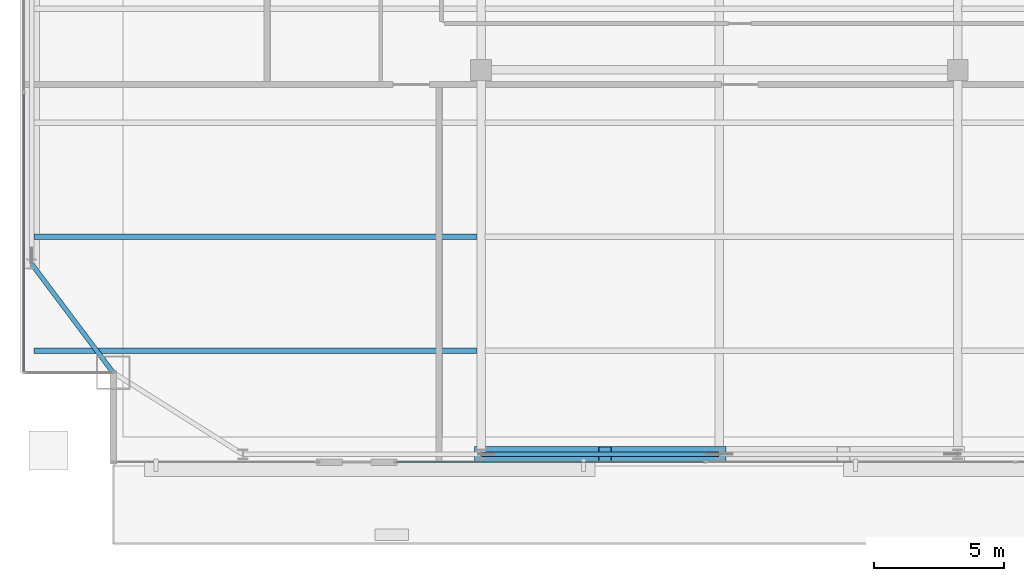
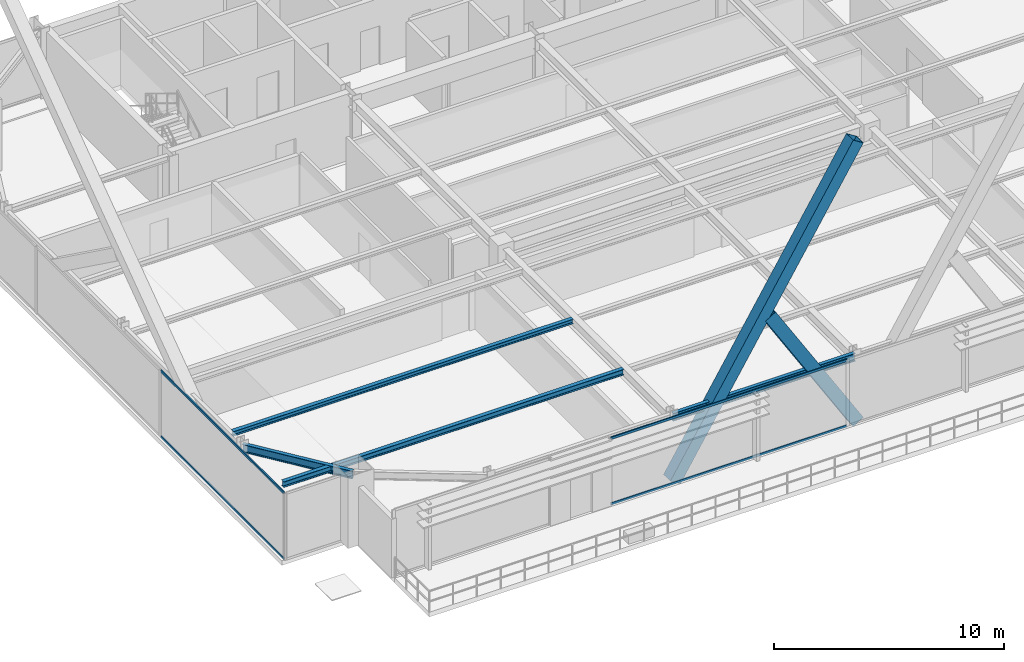
# One storey, part 6 of 33: 6 members, 4 beams, 2 elements without a shape of their own.
"""IFC4 building model written with IfcOpenShell, lengths in metres."""

import ifcopenshell
import ifcopenshell.guid

model = None  # the IFC model being written
_history = None  # IfcOwnerHistory: only IFC2X3 demands one
_inside = {}  # id of a spatial element -> (the spatial element, [elements in it])
_under = {}  # id of a project, library or spatial element -> (it, [spatial elements below it])
_declared = {}  # id of a project -> (the project, [libraries it declares])
_typed = {}  # id of a type object -> (the type object, [elements of that type])
_made_of = {}  # id of a material, layer set ... -> (it, [elements and type objects made of it])


def new_model(schema):
    """Start an empty IFC model of exactly this schema.

    Asked for "IFC4X3", IfcOpenShell would pick the latest addendum, in which some entities
    have other attributes; the version numbers below select the first issue.
    IFC2X3 requires an IfcOwnerHistory on every rooted entity: one is made here for all.
    """
    global model, _history
    if schema == "IFC4X3":
        model = ifcopenshell.file(schema_version=(4, 3, 0, 0))
    else:
        model = ifcopenshell.file(schema=schema)
    _inside.clear()
    _under.clear()
    _declared.clear()
    _typed.clear()
    _made_of.clear()
    _history = None
    if model.schema == "IFC2X3":
        org = make("IfcOrganization", Name="unknown")
        user = make(
            "IfcPersonAndOrganization",
            ThePerson=make("IfcPerson", FamilyName="unknown"),
            TheOrganization=org,
        )
        app = make(
            "IfcApplication",
            ApplicationDeveloper=org,
            Version="unknown",
            ApplicationFullName="unknown",
            ApplicationIdentifier="unknown",
        )
        _history = make(
            "IfcOwnerHistory",
            OwningUser=user,
            OwningApplication=app,
            ChangeAction="ADDED",
            CreationDate=0,
        )
    return model


def make(cls, **values):
    """One entity of the class cls with the attributes given. An attribute that is None is left unset."""
    return model.create_entity(
        cls, **{name: value for name, value in values.items() if value is not None}
    )


def rooted(cls, **values):
    """An entity with a GlobalId (a new one), such as an element, a storey or a relation."""
    return make(cls, GlobalId=ifcopenshell.guid.new(), OwnerHistory=_history, **values)


def si_unit(unit_type, name, prefix=None):
    """IfcSIUnit, for example si_unit("LENGTHUNIT", "METRE", prefix="MILLI")."""
    return make("IfcSIUnit", UnitType=unit_type, Prefix=prefix, Name=name)


def assignment(units):
    """IfcUnitAssignment: the units of a project."""
    return None if units is None else make("IfcUnitAssignment", Units=units)


def point(xyz):
    """IfcCartesianPoint."""
    return None if xyz is None else make("IfcCartesianPoint", Coordinates=xyz)


def direction(xyz):
    """IfcDirection."""
    return None if xyz is None else make("IfcDirection", DirectionRatios=xyz)


def frame(location, z_axis=None, x_axis=None):
    """IfcAxis2Placement3D, a coordinate frame: its origin and axes. An axis left out is left unset."""
    return make(
        "IfcAxis2Placement3D",
        Location=point(location),
        Axis=direction(z_axis),
        RefDirection=direction(x_axis),
    )


def frame_2d(location, x_axis=None):
    """IfcAxis2Placement2D, a coordinate frame in the plane: its origin and x axis."""
    return make(
        "IfcAxis2Placement2D", Location=point(location), RefDirection=direction(x_axis)
    )


def origin():
    """The frame at (0, 0, 0) with its axes left unset."""
    return frame((0.0, 0.0, 0.0))


def origin_2d():
    """The frame at (0, 0) in the plane with its x axis left unset."""
    return frame_2d((0.0, 0.0))


def place(relative_to, where):
    """IfcLocalPlacement: puts the frame where relative to a parent placement (None: the world)."""
    return make(
        "IfcLocalPlacement", PlacementRelTo=relative_to, RelativePlacement=where
    )


def context(
    kind, dimensions, precision=None, world=None, true_north=None, identifier=None
):
    """IfcGeometricRepresentationContext, for example the 3D "Model" context."""
    return make(
        "IfcGeometricRepresentationContext",
        ContextIdentifier=identifier,
        ContextType=kind,
        CoordinateSpaceDimension=dimensions,
        Precision=precision,
        WorldCoordinateSystem=world,
        TrueNorth=true_north,
    )


def subcontext(parent, identifier, kind, view, scale=None):
    """IfcGeometricRepresentationSubContext, for example "Body" below "Model"."""
    return make(
        "IfcGeometricRepresentationSubContext",
        ContextIdentifier=identifier,
        ContextType=kind,
        ParentContext=parent,
        TargetScale=scale,
        TargetView=view,
    )


def project(units=None, contexts=None):
    """IfcProject with its units and contexts."""
    return rooted(
        "IfcProject",
        Name="project",
        RepresentationContexts=contexts,
        UnitsInContext=assignment(units),
    )


def spatial(cls, under=None, at=None, **own):
    """A site, building, storey or space (cls), placed at a placement, below another one or the project."""
    s = rooted(cls, ObjectPlacement=at, **own)
    if under is not None:
        _under.setdefault(under.id(), (under, []))[1].append(s)
    return s


def profile(cls, at=None, kind="AREA", **sizes):
    """A parametric profile (cls). Its sizes go by their IFC names, for example OverallWidth=200.0."""
    return make(cls, ProfileType=kind, Position=at, **sizes)


def hollow_rectangle(**sizes):
    """IfcRectangleHollowProfileDef."""
    return profile("IfcRectangleHollowProfileDef", **sizes)


def i_section(**sizes):
    """IfcIShapeProfileDef."""
    return profile("IfcIShapeProfileDef", **sizes)


def extrude(swept, where, along, depth):
    """IfcExtrudedAreaSolid: the profile swept, set in the frame where, extruded along a direction by depth."""
    return make(
        "IfcExtrudedAreaSolid",
        SweptArea=swept,
        Position=where,
        ExtrudedDirection=direction(along),
        Depth=depth,
    )


def shape(context_of_items, identifier, shape_type, items):
    """IfcShapeRepresentation: the items that make up one representation, for example the "Body"."""
    return make(
        "IfcShapeRepresentation",
        ContextOfItems=context_of_items,
        RepresentationIdentifier=identifier,
        RepresentationType=shape_type,
        Items=items,
    )


def source(mapping_origin, context_of_items, identifier, shape_type, items):
    """IfcRepresentationMap: a shape defined once, which mapped items show again and again."""
    return make(
        "IfcRepresentationMap",
        MappingOrigin=mapping_origin,
        MappedRepresentation=shape(context_of_items, identifier, shape_type, items),
    )


def transform(
    local_origin,
    x_axis=None,
    y_axis=None,
    z_axis=None,
    scale=None,
    scale2=None,
    scale3=None,
    uniform=True,
):
    """IfcCartesianTransformationOperator3D, or its non-uniform kind. x_axis, y_axis, z_axis: its Axis1, 2, 3."""
    if uniform:
        return make(
            "IfcCartesianTransformationOperator3D",
            Axis1=direction(x_axis),
            Axis2=direction(y_axis),
            LocalOrigin=point(local_origin),
            Scale=scale,
            Axis3=direction(z_axis),
        )
    return make(
        "IfcCartesianTransformationOperator3DnonUniform",
        Axis1=direction(x_axis),
        Axis2=direction(y_axis),
        LocalOrigin=point(local_origin),
        Scale=scale,
        Axis3=direction(z_axis),
        Scale2=scale2,
        Scale3=scale3,
    )


def mapped(mapping_source, mapping_target):
    """IfcMappedItem: shows the shape of a source again, moved by a transform."""
    return make(
        "IfcMappedItem", MappingSource=mapping_source, MappingTarget=mapping_target
    )


def material(Name=None, Category=None):
    """IfcMaterial."""
    return make("IfcMaterial", Name=Name, Category=Category)


def layer(
    of_material, thickness, ventilated=None, Name=None, Category=None, Priority=None
):
    """IfcMaterialLayer: one layer of a wall or slab, of a material (None: an air gap)."""
    return make(
        "IfcMaterialLayer",
        Material=of_material,
        LayerThickness=thickness,
        IsVentilated=ventilated,
        Name=Name,
        Category=Category,
        Priority=Priority,
    )


def layer_set(layers, Name=None):
    """IfcMaterialLayerSet."""
    return make("IfcMaterialLayerSet", MaterialLayers=layers, LayerSetName=Name)


def material_profile(
    of_material, cross_section, Name=None, Category=None, Priority=None
):
    """IfcMaterialProfile: a cross section and its material."""
    return make(
        "IfcMaterialProfile",
        Name=Name,
        Material=of_material,
        Profile=cross_section,
        Priority=Priority,
        Category=Category,
    )


def profile_set(profiles, Name=None, composite=None):
    """IfcMaterialProfileSet."""
    return make(
        "IfcMaterialProfileSet",
        Name=Name,
        MaterialProfiles=profiles,
        CompositeProfile=composite,
    )


def made_of(thing, what):
    """Note that an element or type object is made of a material, layer set ...; save() writes the relation."""
    if what is not None:
        _made_of.setdefault(what.id(), (what, []))[1].append(thing)
    return thing


def type_object(cls, material=None, **own):
    """A type object (cls), such as IfcWallType, which elements share."""
    return made_of(rooted(cls, **own), material)


def type_shapes(of_type, sources):
    """Give a type object the sources (RepresentationMaps) that its elements show as mapped items."""
    of_type.RepresentationMaps = sources


def element(
    cls,
    number,
    at=None,
    inside=None,
    cuts=None,
    type_object=None,
    material=None,
    context=None,
    identifier="Body",
    shape_type=None,
    held_by="IfcProductDefinitionShape",
    body=None,
    shapes=None,
    **own,
):
    """One element of the class cls, such as IfcWall. Its Tag is "e" and its number.

    at: its placement. inside: the storey or other place that contains it. cuts: it is an
    opening in that element (IfcRelVoidsElement). A single representation is given by context,
    identifier, shape_type and body (its items); several are given by shapes. held_by: the class
    of the entity that holds the representations. save() writes the other relations.
    """
    e = rooted(cls, Tag="e%d" % number, ObjectPlacement=at, **own)
    if body is not None:
        shapes = [shape(context, identifier, shape_type, body)]
    if shapes is not None:
        e.Representation = make(held_by, Representations=shapes)
    if inside is not None:
        _inside.setdefault(inside.id(), (inside, []))[1].append(e)
    if cuts is not None:
        rooted(
            "IfcRelVoidsElement", RelatingBuildingElement=cuts, RelatedOpeningElement=e
        )
    if type_object is not None:
        _typed.setdefault(type_object.id(), (type_object, []))[1].append(e)
    return made_of(e, material)


def aggregate(whole, parts):
    """IfcRelAggregates: a whole, such as a stair, and the parts it consists of."""
    return rooted("IfcRelAggregates", RelatingObject=whole, RelatedObjects=parts)


def save(model, path):
    """Write the relations noted so far, then the file.

    IfcRelAggregates (storeys below a building ...), IfcRelContainedInSpatialStructure (elements
    in a storey), IfcRelDefinesByType, IfcRelAssociatesMaterial and IfcRelDeclares: one each for
    every whole, place, type object, material and project.
    """
    for whole, parts in _under.values():
        aggregate(whole, parts)
    for where, things in _inside.values():
        rooted(
            "IfcRelContainedInSpatialStructure",
            RelatedElements=things,
            RelatingStructure=where,
        )
    for kind, things in _typed.values():
        rooted("IfcRelDefinesByType", RelatedObjects=things, RelatingType=kind)
    for what, things in _made_of.values():
        rooted("IfcRelAssociatesMaterial", RelatedObjects=things, RelatingMaterial=what)
    for by, libraries in _declared.values():
        rooted("IfcRelDeclares", RelatingContext=by, RelatedDefinitions=libraries)
    model.write(path)


model = new_model("IFC4")

# Units and contexts
model_context = context("Model", 3, precision=1e-05, world=origin(), true_north=direction((0.0, 1.0)))
body_context = subcontext(model_context, "Body", "Model", "MODEL_VIEW")
ifc_project = project(units=[si_unit("LENGTHUNIT", "METRE"), si_unit("AREAUNIT", "SQUARE_METRE"), si_unit("VOLUMEUNIT", "CUBIC_METRE"), si_unit("PLANEANGLEUNIT", "RADIAN"), si_unit("MASSUNIT", "GRAM", prefix="KILO")], contexts=[model_context])

# Site, building, storey
site_placement = place(None, origin())
site = spatial("IfcSite", under=ifc_project, at=site_placement, CompositionType="ELEMENT")
building_placement = place(site_placement, origin())
building = spatial("IfcBuilding", under=site, at=building_placement, Name="Varnel Quay Broadcast Tower", CompositionType="ELEMENT")
storey_placement = place(building_placement, frame((0.0, 0.0, 145.800048828125)))
storey = spatial("IfcBuildingStorey", under=building, at=storey_placement, Name="L35", CompositionType="ELEMENT", Elevation=145.800048828125)

# Beams
ifc_material_1 = material(Name="Structural Steel CSA G40.21 350W", Category="steel")
ifc_material_profile_1 = material_profile(ifc_material_1, i_section(OverallWidth=0.180908203125, OverallDepth=0.4169921875, WebThickness=0.010986328125, FlangeThickness=0.018310546875, FilletRadius=0.011962890625, at=origin_2d()), Name="W410X85")
ifc_profile_set_1 = profile_set([ifc_material_profile_1], Name="Structural Steel CSA G40.21 350W")
beam_type_1 = type_object("IfcBeamType", Name="Beam_W410X85", PredefinedType="SPANDREL", material=ifc_profile_set_1)
shared_shape_1 = source(origin(), body_context, "Body", "SweptSolid", [
    extrude(i_section(OverallWidth=0.180908203125, OverallDepth=0.4169921875, WebThickness=0.010986328125, FlangeThickness=0.018310546875, FilletRadius=0.011962890625, at=origin_2d()), origin(), (0.0, 0.0, 1.0), 9.159912109375),
])
beam_1_placement = place(storey_placement, frame((24.820068359375, 7.64990234375, 3.341552734375), z_axis=(1.0, 0.0, 0.0), x_axis=(0.0, 1.0, 0.0)))
element("IfcBeam", 1, at=beam_1_placement, inside=storey, type_object=beam_type_1, Name="L35 South Spandrel TC-S2-TC-S3", PredefinedType="SPANDREL", context=body_context, shape_type="MappedRepresentation", body=[
    mapped(shared_shape_1, transform((0.0, 0.0, 0.0), x_axis=(1.0, 0.0, 0.0), y_axis=(0.0, 1.0, 0.0), z_axis=(0.0, 0.0, 1.0), scale=1.0)),
])
shared_shape_2 = source(origin(), body_context, "Body", "SweptSolid", [
    extrude(i_section(OverallWidth=0.180908203125, OverallDepth=0.4169921875, WebThickness=0.010986328125, FlangeThickness=0.018310546875, FilletRadius=0.011962890625, at=origin_2d()), origin(), (0.0, 0.0, 1.0), 5.2099609375),
])
type_shapes(beam_type_1, [shared_shape_1, shared_shape_2])
beam_2_placement = place(storey_placement, frame((10.587890625, 10.81591796875, 3.341552734375), z_axis=(-0.6, 0.8, 0.0), x_axis=(-0.8, -0.6, 0.0)))
element("IfcBeam", 2, at=beam_2_placement, inside=storey, type_object=beam_type_1, Name="L35 West Spandrel MC-SW-TC-W1", PredefinedType="SPANDREL", context=body_context, shape_type="MappedRepresentation", body=[
    mapped(shared_shape_2, transform((0.0, 0.0, 0.0), x_axis=(1.0, 0.0, 0.0), y_axis=(0.0, 1.0, 0.0), z_axis=(0.0, 0.0, 1.0), scale=1.0)),
])
ifc_material_profile_2 = material_profile(ifc_material_1, i_section(OverallWidth=0.202880859375, OverallDepth=0.302978515625, WebThickness=0.007568359375, FlangeThickness=0.01318359375, FilletRadius=0.011962890625, at=origin_2d()), Name="W310X60")
ifc_profile_set_2 = profile_set([ifc_material_profile_2], Name="Structural Steel CSA G40.21 350W")
beam_type_2 = type_object("IfcBeamType", Name="Beam_W310X60", PredefinedType="JOIST", material=ifc_profile_set_2)
shared_shape_3 = source(origin(), body_context, "Body", "SweptSolid", [
    extrude(i_section(OverallWidth=0.202880859375, OverallDepth=0.302978515625, WebThickness=0.007568359375, FlangeThickness=0.01318359375, FilletRadius=0.011962890625, at=origin_2d()), origin(), (0.0, 0.0, 1.0), 17.107177734375),
])
type_shapes(beam_type_2, [shared_shape_3])
beam_3_placement = place(storey_placement, frame((7.535400390625, 11.64990234375, 3.3984375), z_axis=(1.0, 0.0, 0.0), x_axis=(0.0, 1.0, 0.0)))
element("IfcBeam", 3, at=beam_3_placement, inside=storey, type_object=beam_type_2, Name="L35 West Floor Joist 1", PredefinedType="JOIST", context=body_context, shape_type="MappedRepresentation", body=[
    mapped(shared_shape_3, transform((0.0, 0.0, 0.0), x_axis=(1.0, 0.0, 0.0), y_axis=(0.0, 1.0, 0.0), z_axis=(0.0, 0.0, 1.0), scale=1.0)),
])
ifc_material_profile_3 = material_profile(ifc_material_1, i_section(OverallWidth=0.201904296875, OverallDepth=0.2470703125, WebThickness=0.00732421875, FlangeThickness=0.010986328125, FilletRadius=0.010986328125, at=origin_2d()), Name="W250X49")
ifc_profile_set_3 = profile_set([ifc_material_profile_3], Name="Structural Steel CSA G40.21 350W")
beam_type_3 = type_object("IfcBeamType", Name="Beam_W250X49", PredefinedType="JOIST", material=ifc_profile_set_3)
shared_shape_4 = source(origin(), body_context, "Body", "SweptSolid", [
    extrude(i_section(OverallWidth=0.201904296875, OverallDepth=0.2470703125, WebThickness=0.00732421875, FlangeThickness=0.010986328125, FilletRadius=0.010986328125, at=origin_2d()), origin(), (0.0, 0.0, 1.0), 17.107177734375),
])
type_shapes(beam_type_3, [shared_shape_4])
beam_4_placement = place(storey_placement, frame((7.535400390625, 16.050048828125, 3.426513671875), z_axis=(1.0, 0.0, 0.0), x_axis=(0.0, 1.0, 0.0)))
element("IfcBeam", 4, at=beam_4_placement, inside=storey, type_object=beam_type_3, Name="L35 West Floor Joist 2", PredefinedType="JOIST", context=body_context, shape_type="MappedRepresentation", body=[
    mapped(shared_shape_4, transform((0.0, 0.0, 0.0), x_axis=(1.0, 0.0, 0.0), y_axis=(0.0, 1.0, 0.0), z_axis=(0.0, 0.0, 1.0), scale=1.0)),
])

# Members
ifc_material_2 = material(Name="Structural Steel CSA G40.21 350WT", Category="steel")
ifc_material_profile_4 = material_profile(ifc_material_2, hollow_rectangle(XDim=0.60009765625, YDim=0.60009765625, WallThickness=0.028076171875, at=origin_2d()), Name="BOX600X600X28")
ifc_profile_set_4 = profile_set([ifc_material_profile_4], Name="Structural Steel CSA G40.21 350WT")
member_type_1 = type_object("IfcMemberType", Name="Brace_BOX600X600X28", PredefinedType="BRACE", material=ifc_profile_set_4)
shared_shape_5 = source(origin(), body_context, "Body", "SweptSolid", [
    extrude(hollow_rectangle(XDim=0.60009765625, YDim=0.60009765625, WallThickness=0.028076171875, at=origin_2d()), origin(), (0.0, 0.0, 1.0), 17.519775390625),
])
member_1_placement = place(storey_placement, frame((24.800048828125, 7.64990234375, 0.02001953125), z_axis=(0.525116345996, 0.0, 0.85103044785), x_axis=(0.0, 1.0, 0.0)))
element("IfcMember", 5, at=member_1_placement, inside=storey, type_object=member_type_1, Name="Zone 3 Mega-Brace S-C1T1 Continuous Diag A", PredefinedType="BRACE", context=body_context, shape_type="MappedRepresentation", body=[
    mapped(shared_shape_5, transform((0.0, 0.0, 0.0), x_axis=(1.0, 0.0, 0.0), y_axis=(0.0, 1.0, 0.0), z_axis=(0.0, 0.0, 1.0), scale=1.0)),
])
shared_shape_6 = source(origin(), body_context, "Body", "SweptSolid", [
    extrude(hollow_rectangle(XDim=0.60009765625, YDim=0.60009765625, WallThickness=0.028076171875, at=origin_2d()), origin(), (0.0, 0.0, 1.0), 8.399169921875),
])
type_shapes(member_type_1, [shared_shape_5, shared_shape_6])
member_2_placement = place(storey_placement, frame((34.0, 7.64990234375, 0.02001953125), z_axis=(-0.525125243666, 0.0, 0.851024957604), x_axis=(0.0, -1.0, 0.0)))
element("IfcMember", 6, at=member_2_placement, inside=storey, type_object=member_type_1, Name="Zone 3 Mega-Brace S-C1T1 Split Diag B1", PredefinedType="BRACE", context=body_context, shape_type="MappedRepresentation", body=[
    mapped(shared_shape_6, transform((0.0, 0.0, 0.0), x_axis=(1.0, 0.0, 0.0), y_axis=(0.0, 1.0, 0.0), z_axis=(0.0, 0.0, 1.0), scale=1.0)),
])

# Curtain wall, members
ifc_material_3 = material(Name="Anodised Bronze Aluminium 6063-T6", Category="aluminium")
ifc_layer = layer(ifc_material_3, 0.18994140625, Name="Anodised Bronze Aluminium 6063-T6")
ifc_layer_set = layer_set([ifc_layer], Name="Anodised Bronze Aluminium 6063-T6")
curtain_wall_type = type_object("IfcCurtainWallType", Name="CW_UpperTower", PredefinedType="NOTDEFINED", material=ifc_layer_set)
curtain_wall_1_placement = place(storey_placement, origin())
curtain_wall_1 = element("IfcCurtainWall", 7, at=curtain_wall_1_placement, inside=storey, type_object=curtain_wall_type, Name="L35 South Unitised Curtain Wall 2", PredefinedType="NOTDEFINED")
ifc_material_profile_5 = material_profile(ifc_material_3, hollow_rectangle(XDim=0.06005859375, YDim=0.125, WallThickness=0.0029296875, at=origin_2d()), Name="ALU60X125X3")
ifc_profile_set_5 = profile_set([ifc_material_profile_5], Name="Anodised Bronze Aluminium 6063-T6")
member_type_2 = type_object("IfcMemberType", Name="Tran_CWS-03", PredefinedType="USERDEFINED", material=ifc_profile_set_5)
shared_shape_7 = source(origin(), body_context, "Body", "SweptSolid", [
    extrude(hollow_rectangle(XDim=0.06005859375, YDim=0.125, WallThickness=0.0029296875, at=origin_2d()), origin(), (0.0, 0.0, 1.0), 11.8759765625),
])
member_3_placement = place(storey_placement, frame((21.544921875, 7.35009765625, 0.030029296875), z_axis=(1.0, 0.0, 0.0), x_axis=(0.0, 1.0, 0.0)))
member_3 = element("IfcMember", 8, at=member_3_placement, type_object=member_type_2, Name="CWS-03 transom 1.1", ObjectType="TRANSOM", PredefinedType="USERDEFINED", context=body_context, shape_type="MappedRepresentation", body=[
    mapped(shared_shape_7, transform((0.0, 0.0, 0.0), x_axis=(1.0, 0.0, 0.0), y_axis=(0.0, 1.0, 0.0), z_axis=(0.0, 0.0, 1.0), scale=1.0)),
])
member_4_placement = place(storey_placement, frame((21.544921875, 7.35009765625, 3.52001953125), z_axis=(1.0, 0.0, 0.0), x_axis=(0.0, 1.0, 0.0)))
member_4 = element("IfcMember", 9, at=member_4_placement, type_object=member_type_2, Name="CWS-03 transom 1.2", ObjectType="TRANSOM", PredefinedType="USERDEFINED", context=body_context, shape_type="MappedRepresentation", body=[
    mapped(shared_shape_7, transform((0.0, 0.0, 0.0), x_axis=(1.0, 0.0, 0.0), y_axis=(0.0, 1.0, 0.0), z_axis=(0.0, 0.0, 1.0), scale=1.0)),
])
aggregate(curtain_wall_1, [member_3, member_4])

curtain_wall_2_placement = place(storey_placement, origin())
curtain_wall_2 = element("IfcCurtainWall", 10, at=curtain_wall_2_placement, inside=storey, type_object=curtain_wall_type, Name="L35 West Unitised Curtain Wall", PredefinedType="NOTDEFINED")
shared_shape_8 = source(origin(), body_context, "Body", "SweptSolid", [
    extrude(hollow_rectangle(XDim=0.06005859375, YDim=0.125, WallThickness=0.0029296875, at=origin_2d()), origin(), (0.0, 0.0, 1.0), 10.702392578125),
])
type_shapes(member_type_2, [shared_shape_7, shared_shape_8])
member_5_placement = place(storey_placement, frame((7.14990234375, 10.864990234375, 0.030029296875), z_axis=(0.0, 1.0, 0.0), x_axis=(-1.0, 0.0, 0.0)))
member_5 = element("IfcMember", 11, at=member_5_placement, type_object=member_type_2, Name="CWS-03 transom 1.1", ObjectType="TRANSOM", PredefinedType="USERDEFINED", context=body_context, shape_type="MappedRepresentation", body=[
    mapped(shared_shape_8, transform((0.0, 0.0, 0.0), x_axis=(1.0, 0.0, 0.0), y_axis=(0.0, 1.0, 0.0), z_axis=(0.0, 0.0, 1.0), scale=1.0)),
])
member_6_placement = place(storey_placement, frame((7.14990234375, 10.864990234375, 3.52001953125), z_axis=(0.0, 1.0, 0.0), x_axis=(-1.0, 0.0, 0.0)))
member_6 = element("IfcMember", 12, at=member_6_placement, type_object=member_type_2, Name="CWS-03 transom 1.2", ObjectType="TRANSOM", PredefinedType="USERDEFINED", context=body_context, shape_type="MappedRepresentation", body=[
    mapped(shared_shape_8, transform((0.0, 0.0, 0.0), x_axis=(1.0, 0.0, 0.0), y_axis=(0.0, 1.0, 0.0), z_axis=(0.0, 0.0, 1.0), scale=1.0)),
])
aggregate(curtain_wall_2, [member_5, member_6])

save(model, "model.ifc")
